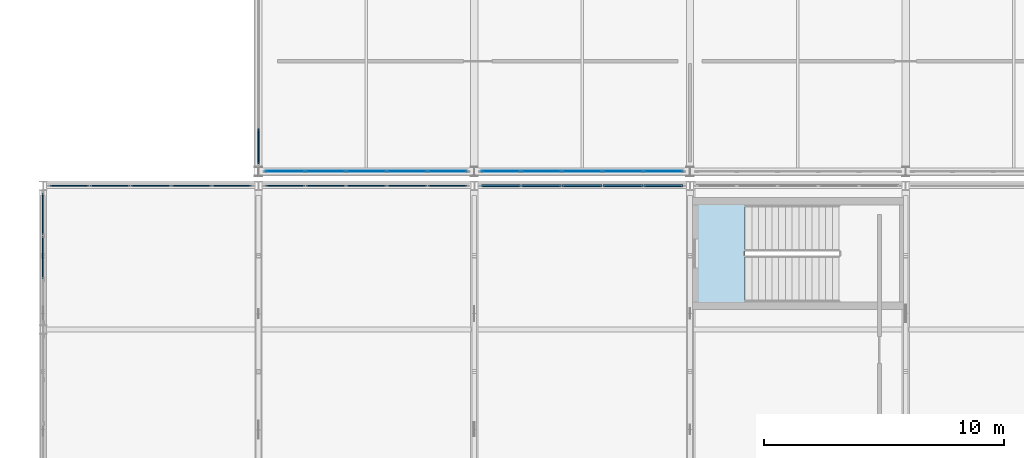
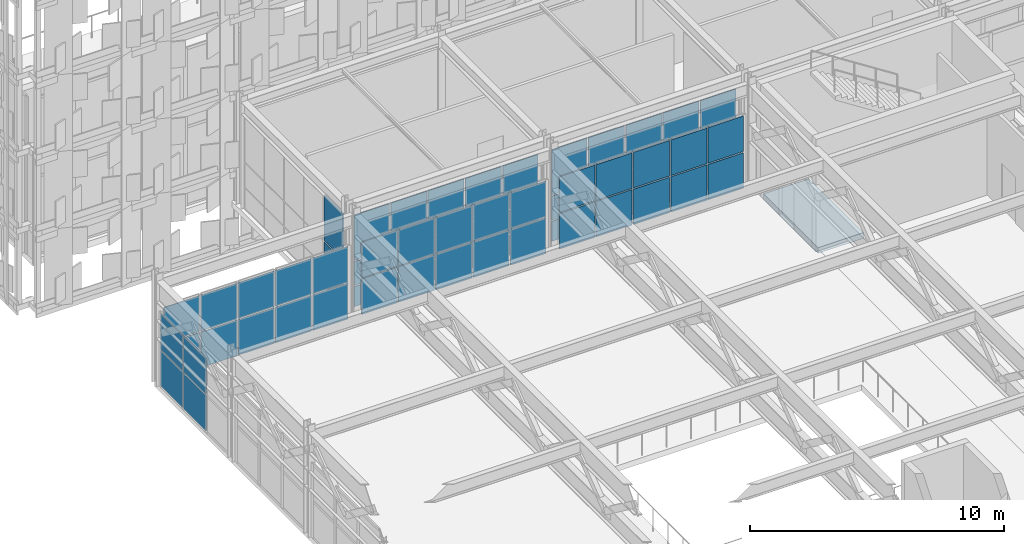
# One storey, part 132 of 210: 67 plates, 1 slab, 7 elements without a shape of their own.
"""IFC4 building model written with IfcOpenShell, lengths in metres."""

from ifc_helpers import new_model, si_unit, direction, frame, origin, origin_2d, place, context, subcontext, project, spatial, polyline, rectangle, outline, extrude, material, layer, layer_set, type_object, element, aggregate, save


model = new_model("IFC4")

# Units and contexts
model_context = context("Model", 3, precision=1e-05, world=origin(), true_north=direction((0.0, 1.0)))
body_context = subcontext(model_context, "Body", "Model", "MODEL_VIEW")
ifc_project = project(units=[si_unit("LENGTHUNIT", "METRE"), si_unit("AREAUNIT", "SQUARE_METRE"), si_unit("VOLUMEUNIT", "CUBIC_METRE"), si_unit("PLANEANGLEUNIT", "RADIAN"), si_unit("MASSUNIT", "GRAM", prefix="KILO")], contexts=[model_context])

# Site, building, storey
site_placement = place(None, origin())
site = spatial("IfcSite", under=ifc_project, at=site_placement, CompositionType="ELEMENT")
building_placement = place(site_placement, origin())
building = spatial("IfcBuilding", under=site, at=building_placement, Name="Kaldris Quays Convention Centre", CompositionType="ELEMENT")
storey_placement = place(building_placement, frame((0.0, 0.0, 6.0)))
storey = spatial("IfcBuildingStorey", under=building, at=storey_placement, Name="L01", CompositionType="ELEMENT", Elevation=6.0)

# Curtain wall, plates
ifc_material_1 = material(Name="Anodized aluminium AW-6060 and triple glazing", Category="aluminium")
curtain_wall_type_1 = type_object("IfcCurtainWallType", Name="UNITISED CURTAIN WALL CW02", PredefinedType="NOTDEFINED", material=ifc_material_1)
curtain_wall_1_placement = place(storey_placement, origin())
curtain_wall_1 = element("IfcCurtainWall", 1, at=curtain_wall_1_placement, inside=storey, type_object=curtain_wall_type_1, Name="L01 Unitised Curtain Wall CW02 90", PredefinedType="NOTDEFINED")
ifc_material_2 = material(Name="Triple low-E insulated glazing", Category="glass")
plate_type_1 = type_object("IfcPlateType", Name="CURTAIN GLAZING PANEL CWP2", PredefinedType="CURTAIN_PANEL", material=ifc_material_2)
plate_1_placement = place(storey_placement, frame((30.114990234375, 46.60009765625, 0.06005859375), z_axis=(0.0, 0.0, 1.0), x_axis=(1.0, 0.0, 0.0)))
plate_1 = element("IfcPlate", 2, at=plate_1_placement, type_object=plate_type_1, Name="CW02 panel 1.1", PredefinedType="CURTAIN_PANEL", context=body_context, shape_type="SweptSolid", body=[
    extrude(rectangle(XDim=1.610107421875, YDim=0.033935546875, at=origin_2d()), origin(), (0.0, 0.0, 1.0), 0.9599609375),
])
plate_2_placement = place(storey_placement, frame((30.114990234375, 46.60009765625, 1.080078125), z_axis=(0.0, 0.0, 1.0), x_axis=(1.0, 0.0, 0.0)))
plate_2 = element("IfcPlate", 3, at=plate_2_placement, type_object=plate_type_1, Name="CW02 panel 1.2", PredefinedType="CURTAIN_PANEL", context=body_context, shape_type="SweptSolid", body=[
    extrude(rectangle(XDim=1.610107421875, YDim=0.033935546875, at=origin_2d()), origin(), (0.0, 0.0, 1.0), 1.154052734375),
])
plate_3_placement = place(storey_placement, frame((30.114990234375, 46.60009765625, 2.2939453125), z_axis=(0.0, 0.0, 1.0), x_axis=(1.0, 0.0, 0.0)))
plate_3 = element("IfcPlate", 4, at=plate_3_placement, type_object=plate_type_1, Name="CW02 panel 1.3", PredefinedType="CURTAIN_PANEL", context=body_context, shape_type="SweptSolid", body=[
    extrude(rectangle(XDim=1.610107421875, YDim=0.033935546875, at=origin_2d()), origin(), (0.0, 0.0, 1.0), 2.174072265625),
])
plate_4_placement = place(storey_placement, frame((31.800048828125, 46.60009765625, 0.06005859375), z_axis=(0.0, 0.0, 1.0), x_axis=(1.0, 0.0, 0.0)))
plate_4 = element("IfcPlate", 5, at=plate_4_placement, type_object=plate_type_1, Name="CW02 panel 2.1", PredefinedType="CURTAIN_PANEL", context=body_context, shape_type="SweptSolid", body=[
    extrude(rectangle(XDim=1.639892578125, YDim=0.033935546875, at=origin_2d()), origin(), (0.0, 0.0, 1.0), 0.9599609375),
])
plate_5_placement = place(storey_placement, frame((31.800048828125, 46.60009765625, 1.080078125), z_axis=(0.0, 0.0, 1.0), x_axis=(1.0, 0.0, 0.0)))
plate_5 = element("IfcPlate", 6, at=plate_5_placement, type_object=plate_type_1, Name="CW02 panel 2.2", PredefinedType="CURTAIN_PANEL", context=body_context, shape_type="SweptSolid", body=[
    extrude(rectangle(XDim=1.639892578125, YDim=0.033935546875, at=origin_2d()), origin(), (0.0, 0.0, 1.0), 1.154052734375),
])
plate_6_placement = place(storey_placement, frame((31.800048828125, 46.60009765625, 2.2939453125), z_axis=(0.0, 0.0, 1.0), x_axis=(1.0, 0.0, 0.0)))
plate_6 = element("IfcPlate", 7, at=plate_6_placement, type_object=plate_type_1, Name="CW02 panel 2.3", PredefinedType="CURTAIN_PANEL", context=body_context, shape_type="SweptSolid", body=[
    extrude(rectangle(XDim=1.639892578125, YDim=0.033935546875, at=origin_2d()), origin(), (0.0, 0.0, 1.0), 2.174072265625),
])
plate_7_placement = place(storey_placement, frame((33.5, 46.60009765625, 0.06005859375), z_axis=(0.0, 0.0, 1.0), x_axis=(1.0, 0.0, 0.0)))
plate_7 = element("IfcPlate", 8, at=plate_7_placement, type_object=plate_type_1, Name="CW02 panel 3.1", PredefinedType="CURTAIN_PANEL", context=body_context, shape_type="SweptSolid", body=[
    extrude(rectangle(XDim=1.639892578125, YDim=0.033935546875, at=origin_2d()), origin(), (0.0, 0.0, 1.0), 0.9599609375),
])
plate_8_placement = place(storey_placement, frame((33.5, 46.60009765625, 1.080078125), z_axis=(0.0, 0.0, 1.0), x_axis=(1.0, 0.0, 0.0)))
plate_8 = element("IfcPlate", 9, at=plate_8_placement, type_object=plate_type_1, Name="CW02 panel 3.2", PredefinedType="CURTAIN_PANEL", context=body_context, shape_type="SweptSolid", body=[
    extrude(rectangle(XDim=1.639892578125, YDim=0.033935546875, at=origin_2d()), origin(), (0.0, 0.0, 1.0), 1.154052734375),
])
plate_9_placement = place(storey_placement, frame((33.5, 46.60009765625, 2.2939453125), z_axis=(0.0, 0.0, 1.0), x_axis=(1.0, 0.0, 0.0)))
plate_9 = element("IfcPlate", 10, at=plate_9_placement, type_object=plate_type_1, Name="CW02 panel 3.3", PredefinedType="CURTAIN_PANEL", context=body_context, shape_type="SweptSolid", body=[
    extrude(rectangle(XDim=1.639892578125, YDim=0.033935546875, at=origin_2d()), origin(), (0.0, 0.0, 1.0), 2.174072265625),
])
plate_10_placement = place(storey_placement, frame((35.199951171875, 46.60009765625, 0.06005859375), z_axis=(0.0, 0.0, 1.0), x_axis=(1.0, 0.0, 0.0)))
plate_10 = element("IfcPlate", 11, at=plate_10_placement, type_object=plate_type_1, Name="CW02 panel 4.1", PredefinedType="CURTAIN_PANEL", context=body_context, shape_type="SweptSolid", body=[
    extrude(rectangle(XDim=1.639892578125, YDim=0.033935546875, at=origin_2d()), origin(), (0.0, 0.0, 1.0), 0.9599609375),
])
plate_11_placement = place(storey_placement, frame((35.199951171875, 46.60009765625, 1.080078125), z_axis=(0.0, 0.0, 1.0), x_axis=(1.0, 0.0, 0.0)))
plate_11 = element("IfcPlate", 12, at=plate_11_placement, type_object=plate_type_1, Name="CW02 panel 4.2", PredefinedType="CURTAIN_PANEL", context=body_context, shape_type="SweptSolid", body=[
    extrude(rectangle(XDim=1.639892578125, YDim=0.033935546875, at=origin_2d()), origin(), (0.0, 0.0, 1.0), 1.154052734375),
])
plate_12_placement = place(storey_placement, frame((35.199951171875, 46.60009765625, 2.2939453125), z_axis=(0.0, 0.0, 1.0), x_axis=(1.0, 0.0, 0.0)))
plate_12 = element("IfcPlate", 13, at=plate_12_placement, type_object=plate_type_1, Name="CW02 panel 4.3", PredefinedType="CURTAIN_PANEL", context=body_context, shape_type="SweptSolid", body=[
    extrude(rectangle(XDim=1.639892578125, YDim=0.033935546875, at=origin_2d()), origin(), (0.0, 0.0, 1.0), 2.174072265625),
])
plate_13_placement = place(storey_placement, frame((36.885009765625, 46.60009765625, 0.06005859375), z_axis=(0.0, 0.0, 1.0), x_axis=(1.0, 0.0, 0.0)))
plate_13 = element("IfcPlate", 14, at=plate_13_placement, type_object=plate_type_1, Name="CW02 panel 5.1", PredefinedType="CURTAIN_PANEL", context=body_context, shape_type="SweptSolid", body=[
    extrude(rectangle(XDim=1.610107421875, YDim=0.033935546875, at=origin_2d()), origin(), (0.0, 0.0, 1.0), 0.9599609375),
])
plate_14_placement = place(storey_placement, frame((36.885009765625, 46.60009765625, 1.080078125), z_axis=(0.0, 0.0, 1.0), x_axis=(1.0, 0.0, 0.0)))
plate_14 = element("IfcPlate", 15, at=plate_14_placement, type_object=plate_type_1, Name="CW02 panel 5.2", PredefinedType="CURTAIN_PANEL", context=body_context, shape_type="SweptSolid", body=[
    extrude(rectangle(XDim=1.610107421875, YDim=0.033935546875, at=origin_2d()), origin(), (0.0, 0.0, 1.0), 1.154052734375),
])
plate_15_placement = place(storey_placement, frame((36.885009765625, 46.60009765625, 2.2939453125), z_axis=(0.0, 0.0, 1.0), x_axis=(1.0, 0.0, 0.0)))
plate_15 = element("IfcPlate", 16, at=plate_15_placement, type_object=plate_type_1, Name="CW02 panel 5.3", PredefinedType="CURTAIN_PANEL", context=body_context, shape_type="SweptSolid", body=[
    extrude(rectangle(XDim=1.610107421875, YDim=0.033935546875, at=origin_2d()), origin(), (0.0, 0.0, 1.0), 2.174072265625),
])
aggregate(curtain_wall_1, [plate_1, plate_2, plate_3, plate_4, plate_5, plate_6, plate_7, plate_8, plate_9, plate_10, plate_11, plate_12, plate_13, plate_14, plate_15])

curtain_wall_2_placement = place(storey_placement, origin())
curtain_wall_2 = element("IfcCurtainWall", 17, at=curtain_wall_2_placement, inside=storey, type_object=curtain_wall_type_1, Name="L01 Unitised Curtain Wall CW02 91", PredefinedType="NOTDEFINED")
plate_type_2 = type_object("IfcPlateType", Name="CURTAIN GLAZING PANEL CWP3", PredefinedType="CURTAIN_PANEL", material=ifc_material_2)
plate_16_placement = place(storey_placement, frame((39.114990234375, 46.60009765625, 0.06005859375), z_axis=(0.0, 0.0, 1.0), x_axis=(1.0, 0.0, 0.0)))
plate_16 = element("IfcPlate", 18, at=plate_16_placement, type_object=plate_type_2, Name="CW02 panel 1.1", PredefinedType="CURTAIN_PANEL", context=body_context, shape_type="SweptSolid", body=[
    extrude(rectangle(XDim=1.610107421875, YDim=0.0390625, at=origin_2d()), origin(), (0.0, 0.0, 1.0), 0.9599609375),
])
plate_17_placement = place(storey_placement, frame((39.114990234375, 46.60009765625, 1.080078125), z_axis=(0.0, 0.0, 1.0), x_axis=(1.0, 0.0, 0.0)))
plate_17 = element("IfcPlate", 19, at=plate_17_placement, type_object=plate_type_2, Name="CW02 panel 1.2", PredefinedType="CURTAIN_PANEL", context=body_context, shape_type="SweptSolid", body=[
    extrude(rectangle(XDim=1.610107421875, YDim=0.0390625, at=origin_2d()), origin(), (0.0, 0.0, 1.0), 1.154052734375),
])
plate_18_placement = place(storey_placement, frame((39.114990234375, 46.60009765625, 2.2939453125), z_axis=(0.0, 0.0, 1.0), x_axis=(1.0, 0.0, 0.0)))
plate_18 = element("IfcPlate", 20, at=plate_18_placement, type_object=plate_type_2, Name="CW02 panel 1.3", PredefinedType="CURTAIN_PANEL", context=body_context, shape_type="SweptSolid", body=[
    extrude(rectangle(XDim=1.610107421875, YDim=0.0390625, at=origin_2d()), origin(), (0.0, 0.0, 1.0), 2.174072265625),
])
plate_19_placement = place(storey_placement, frame((40.800048828125, 46.60009765625, 0.06005859375), z_axis=(0.0, 0.0, 1.0), x_axis=(1.0, 0.0, 0.0)))
plate_19 = element("IfcPlate", 21, at=plate_19_placement, type_object=plate_type_2, Name="CW02 panel 2.1", PredefinedType="CURTAIN_PANEL", context=body_context, shape_type="SweptSolid", body=[
    extrude(rectangle(XDim=1.639892578125, YDim=0.0390625, at=origin_2d()), origin(), (0.0, 0.0, 1.0), 0.9599609375),
])
plate_20_placement = place(storey_placement, frame((40.800048828125, 46.60009765625, 1.080078125), z_axis=(0.0, 0.0, 1.0), x_axis=(1.0, 0.0, 0.0)))
plate_20 = element("IfcPlate", 22, at=plate_20_placement, type_object=plate_type_2, Name="CW02 panel 2.2", PredefinedType="CURTAIN_PANEL", context=body_context, shape_type="SweptSolid", body=[
    extrude(rectangle(XDim=1.639892578125, YDim=0.0390625, at=origin_2d()), origin(), (0.0, 0.0, 1.0), 1.154052734375),
])
plate_21_placement = place(storey_placement, frame((40.800048828125, 46.60009765625, 2.2939453125), z_axis=(0.0, 0.0, 1.0), x_axis=(1.0, 0.0, 0.0)))
plate_21 = element("IfcPlate", 23, at=plate_21_placement, type_object=plate_type_2, Name="CW02 panel 2.3", PredefinedType="CURTAIN_PANEL", context=body_context, shape_type="SweptSolid", body=[
    extrude(rectangle(XDim=1.639892578125, YDim=0.0390625, at=origin_2d()), origin(), (0.0, 0.0, 1.0), 2.174072265625),
])
plate_22_placement = place(storey_placement, frame((42.5, 46.60009765625, 0.06005859375), z_axis=(0.0, 0.0, 1.0), x_axis=(1.0, 0.0, 0.0)))
plate_22 = element("IfcPlate", 24, at=plate_22_placement, type_object=plate_type_2, Name="CW02 panel 3.1", PredefinedType="CURTAIN_PANEL", context=body_context, shape_type="SweptSolid", body=[
    extrude(rectangle(XDim=1.639892578125, YDim=0.0390625, at=origin_2d()), origin(), (0.0, 0.0, 1.0), 0.9599609375),
])
plate_23_placement = place(storey_placement, frame((42.5, 46.60009765625, 1.080078125), z_axis=(0.0, 0.0, 1.0), x_axis=(1.0, 0.0, 0.0)))
plate_23 = element("IfcPlate", 25, at=plate_23_placement, type_object=plate_type_2, Name="CW02 panel 3.2", PredefinedType="CURTAIN_PANEL", context=body_context, shape_type="SweptSolid", body=[
    extrude(rectangle(XDim=1.639892578125, YDim=0.0390625, at=origin_2d()), origin(), (0.0, 0.0, 1.0), 1.154052734375),
])
plate_24_placement = place(storey_placement, frame((42.5, 46.60009765625, 2.2939453125), z_axis=(0.0, 0.0, 1.0), x_axis=(1.0, 0.0, 0.0)))
plate_24 = element("IfcPlate", 26, at=plate_24_placement, type_object=plate_type_2, Name="CW02 panel 3.3", PredefinedType="CURTAIN_PANEL", context=body_context, shape_type="SweptSolid", body=[
    extrude(rectangle(XDim=1.639892578125, YDim=0.0390625, at=origin_2d()), origin(), (0.0, 0.0, 1.0), 2.174072265625),
])
plate_25_placement = place(storey_placement, frame((44.199951171875, 46.60009765625, 0.06005859375), z_axis=(0.0, 0.0, 1.0), x_axis=(1.0, 0.0, 0.0)))
plate_25 = element("IfcPlate", 27, at=plate_25_placement, type_object=plate_type_2, Name="CW02 panel 4.1", PredefinedType="CURTAIN_PANEL", context=body_context, shape_type="SweptSolid", body=[
    extrude(rectangle(XDim=1.639892578125, YDim=0.0390625, at=origin_2d()), origin(), (0.0, 0.0, 1.0), 0.9599609375),
])
plate_26_placement = place(storey_placement, frame((44.199951171875, 46.60009765625, 1.080078125), z_axis=(0.0, 0.0, 1.0), x_axis=(1.0, 0.0, 0.0)))
plate_26 = element("IfcPlate", 28, at=plate_26_placement, type_object=plate_type_2, Name="CW02 panel 4.2", PredefinedType="CURTAIN_PANEL", context=body_context, shape_type="SweptSolid", body=[
    extrude(rectangle(XDim=1.639892578125, YDim=0.0390625, at=origin_2d()), origin(), (0.0, 0.0, 1.0), 1.154052734375),
])
plate_27_placement = place(storey_placement, frame((44.199951171875, 46.60009765625, 2.2939453125), z_axis=(0.0, 0.0, 1.0), x_axis=(1.0, 0.0, 0.0)))
plate_27 = element("IfcPlate", 29, at=plate_27_placement, type_object=plate_type_2, Name="CW02 panel 4.3", PredefinedType="CURTAIN_PANEL", context=body_context, shape_type="SweptSolid", body=[
    extrude(rectangle(XDim=1.639892578125, YDim=0.0390625, at=origin_2d()), origin(), (0.0, 0.0, 1.0), 2.174072265625),
])
plate_28_placement = place(storey_placement, frame((45.885009765625, 46.60009765625, 0.06005859375), z_axis=(0.0, 0.0, 1.0), x_axis=(1.0, 0.0, 0.0)))
plate_28 = element("IfcPlate", 30, at=plate_28_placement, type_object=plate_type_2, Name="CW02 panel 5.1", PredefinedType="CURTAIN_PANEL", context=body_context, shape_type="SweptSolid", body=[
    extrude(rectangle(XDim=1.610107421875, YDim=0.0390625, at=origin_2d()), origin(), (0.0, 0.0, 1.0), 0.9599609375),
])
plate_29_placement = place(storey_placement, frame((45.885009765625, 46.60009765625, 1.080078125), z_axis=(0.0, 0.0, 1.0), x_axis=(1.0, 0.0, 0.0)))
plate_29 = element("IfcPlate", 31, at=plate_29_placement, type_object=plate_type_2, Name="CW02 panel 5.2", PredefinedType="CURTAIN_PANEL", context=body_context, shape_type="SweptSolid", body=[
    extrude(rectangle(XDim=1.610107421875, YDim=0.0390625, at=origin_2d()), origin(), (0.0, 0.0, 1.0), 1.154052734375),
])
plate_30_placement = place(storey_placement, frame((45.885009765625, 46.60009765625, 2.2939453125), z_axis=(0.0, 0.0, 1.0), x_axis=(1.0, 0.0, 0.0)))
plate_30 = element("IfcPlate", 32, at=plate_30_placement, type_object=plate_type_2, Name="CW02 panel 5.3", PredefinedType="CURTAIN_PANEL", context=body_context, shape_type="SweptSolid", body=[
    extrude(rectangle(XDim=1.610107421875, YDim=0.0390625, at=origin_2d()), origin(), (0.0, 0.0, 1.0), 2.174072265625),
])
aggregate(curtain_wall_2, [plate_16, plate_17, plate_18, plate_19, plate_20, plate_21, plate_22, plate_23, plate_24, plate_25, plate_26, plate_27, plate_28, plate_29, plate_30])

curtain_wall_type_2 = type_object("IfcCurtainWallType", Name="UNITISED CURTAIN WALL CW05", PredefinedType="NOTDEFINED", material=ifc_material_1)
curtain_wall_3_placement = place(storey_placement, origin())
curtain_wall_3 = element("IfcCurtainWall", 33, at=curtain_wall_3_placement, inside=storey, type_object=curtain_wall_type_2, Name="L01 Unitised Curtain Wall CW05 60", PredefinedType="NOTDEFINED")
plate_type_3 = type_object("IfcPlateType", Name="CURTAIN GLAZING PANEL CWP4", PredefinedType="CURTAIN_PANEL", material=ifc_material_2)
plate_31_placement = place(storey_placement, frame((21.114990234375, 46.0, 0.06005859375), z_axis=(0.0, 0.0, 1.0), x_axis=(1.0, 0.0, 0.0)))
plate_31 = element("IfcPlate", 34, at=plate_31_placement, type_object=plate_type_3, Name="CW05 panel 1.1", PredefinedType="CURTAIN_PANEL", context=body_context, shape_type="SweptSolid", body=[
    extrude(rectangle(XDim=1.610107421875, YDim=0.0439453125, at=origin_2d()), origin(), (0.0, 0.0, 1.0), 1.7099609375),
])
plate_32_placement = place(storey_placement, frame((21.114990234375, 46.0, 1.830078125), z_axis=(0.0, 0.0, 1.0), x_axis=(1.0, 0.0, 0.0)))
plate_32 = element("IfcPlate", 35, at=plate_32_placement, type_object=plate_type_3, Name="CW05 panel 1.2", PredefinedType="CURTAIN_PANEL", context=body_context, shape_type="SweptSolid", body=[
    extrude(rectangle(XDim=1.610107421875, YDim=0.0439453125, at=origin_2d()), origin(), (0.0, 0.0, 1.0), 1.7099609375),
])
plate_33_placement = place(storey_placement, frame((22.800048828125, 46.0, 0.06005859375), z_axis=(0.0, 0.0, 1.0), x_axis=(1.0, 0.0, 0.0)))
plate_33 = element("IfcPlate", 36, at=plate_33_placement, type_object=plate_type_3, Name="CW05 panel 2.1", PredefinedType="CURTAIN_PANEL", context=body_context, shape_type="SweptSolid", body=[
    extrude(rectangle(XDim=1.639892578125, YDim=0.0439453125, at=origin_2d()), origin(), (0.0, 0.0, 1.0), 1.7099609375),
])
plate_34_placement = place(storey_placement, frame((22.800048828125, 46.0, 1.830078125), z_axis=(0.0, 0.0, 1.0), x_axis=(1.0, 0.0, 0.0)))
plate_34 = element("IfcPlate", 37, at=plate_34_placement, type_object=plate_type_3, Name="CW05 panel 2.2", PredefinedType="CURTAIN_PANEL", context=body_context, shape_type="SweptSolid", body=[
    extrude(rectangle(XDim=1.639892578125, YDim=0.0439453125, at=origin_2d()), origin(), (0.0, 0.0, 1.0), 1.7099609375),
])
plate_35_placement = place(storey_placement, frame((24.5, 46.0, 0.06005859375), z_axis=(0.0, 0.0, 1.0), x_axis=(1.0, 0.0, 0.0)))
plate_35 = element("IfcPlate", 38, at=plate_35_placement, type_object=plate_type_3, Name="CW05 panel 3.1", PredefinedType="CURTAIN_PANEL", context=body_context, shape_type="SweptSolid", body=[
    extrude(rectangle(XDim=1.639892578125, YDim=0.0439453125, at=origin_2d()), origin(), (0.0, 0.0, 1.0), 1.7099609375),
])
plate_36_placement = place(storey_placement, frame((24.5, 46.0, 1.830078125), z_axis=(0.0, 0.0, 1.0), x_axis=(1.0, 0.0, 0.0)))
plate_36 = element("IfcPlate", 39, at=plate_36_placement, type_object=plate_type_3, Name="CW05 panel 3.2", PredefinedType="CURTAIN_PANEL", context=body_context, shape_type="SweptSolid", body=[
    extrude(rectangle(XDim=1.639892578125, YDim=0.0439453125, at=origin_2d()), origin(), (0.0, 0.0, 1.0), 1.7099609375),
])
plate_37_placement = place(storey_placement, frame((26.199951171875, 46.0, 0.06005859375), z_axis=(0.0, 0.0, 1.0), x_axis=(1.0, 0.0, 0.0)))
plate_37 = element("IfcPlate", 40, at=plate_37_placement, type_object=plate_type_3, Name="CW05 panel 4.1", PredefinedType="CURTAIN_PANEL", context=body_context, shape_type="SweptSolid", body=[
    extrude(rectangle(XDim=1.639892578125, YDim=0.0439453125, at=origin_2d()), origin(), (0.0, 0.0, 1.0), 1.7099609375),
])
plate_38_placement = place(storey_placement, frame((26.199951171875, 46.0, 1.830078125), z_axis=(0.0, 0.0, 1.0), x_axis=(1.0, 0.0, 0.0)))
plate_38 = element("IfcPlate", 41, at=plate_38_placement, type_object=plate_type_3, Name="CW05 panel 4.2", PredefinedType="CURTAIN_PANEL", context=body_context, shape_type="SweptSolid", body=[
    extrude(rectangle(XDim=1.639892578125, YDim=0.0439453125, at=origin_2d()), origin(), (0.0, 0.0, 1.0), 1.7099609375),
])
plate_39_placement = place(storey_placement, frame((27.885009765625, 46.0, 0.06005859375), z_axis=(0.0, 0.0, 1.0), x_axis=(1.0, 0.0, 0.0)))
plate_39 = element("IfcPlate", 42, at=plate_39_placement, type_object=plate_type_3, Name="CW05 panel 5.1", PredefinedType="CURTAIN_PANEL", context=body_context, shape_type="SweptSolid", body=[
    extrude(rectangle(XDim=1.610107421875, YDim=0.0439453125, at=origin_2d()), origin(), (0.0, 0.0, 1.0), 1.7099609375),
])
plate_40_placement = place(storey_placement, frame((27.885009765625, 46.0, 1.830078125), z_axis=(0.0, 0.0, 1.0), x_axis=(1.0, 0.0, 0.0)))
plate_40 = element("IfcPlate", 43, at=plate_40_placement, type_object=plate_type_3, Name="CW05 panel 5.2", PredefinedType="CURTAIN_PANEL", context=body_context, shape_type="SweptSolid", body=[
    extrude(rectangle(XDim=1.610107421875, YDim=0.0439453125, at=origin_2d()), origin(), (0.0, 0.0, 1.0), 1.7099609375),
])
aggregate(curtain_wall_3, [plate_31, plate_32, plate_33, plate_34, plate_35, plate_36, plate_37, plate_38, plate_39, plate_40])

curtain_wall_4_placement = place(storey_placement, origin())
curtain_wall_4 = element("IfcCurtainWall", 44, at=curtain_wall_4_placement, inside=storey, type_object=curtain_wall_type_2, Name="L01 Unitised Curtain Wall CW05 77", PredefinedType="NOTDEFINED")
plate_type_4 = type_object("IfcPlateType", Name="CURTAIN GLAZING PANEL CWP5", PredefinedType="CURTAIN_PANEL", material=ifc_material_2)
plate_41_placement = place(storey_placement, frame((20.0, 43.0, 0.06005859375), z_axis=(0.0, 0.0, 1.0), x_axis=(0.0, 1.0, 0.0)))
plate_41 = element("IfcPlate", 45, at=plate_41_placement, type_object=plate_type_4, Name="CW05 panel 2.1", PredefinedType="CURTAIN_PANEL", context=body_context, shape_type="SweptSolid", body=[
    extrude(rectangle(XDim=1.7734375, YDim=0.049072265625, at=origin_2d()), origin(), (0.0, 0.0, 1.0), 1.7099609375),
])
plate_42_placement = place(storey_placement, frame((20.0, 43.0, 1.830078125), z_axis=(0.0, 0.0, 1.0), x_axis=(0.0, 1.0, 0.0)))
plate_42 = element("IfcPlate", 46, at=plate_42_placement, type_object=plate_type_4, Name="CW05 panel 2.2", PredefinedType="CURTAIN_PANEL", context=body_context, shape_type="SweptSolid", body=[
    extrude(rectangle(XDim=1.7734375, YDim=0.049072265625, at=origin_2d()), origin(), (0.0, 0.0, 1.0), 1.7099609375),
])
plate_43_placement = place(storey_placement, frame((20.0, 44.818359375, 0.06005859375), z_axis=(0.0, 0.0, 1.0), x_axis=(0.0, 1.0, 0.0)))
plate_43 = element("IfcPlate", 47, at=plate_43_placement, type_object=plate_type_4, Name="CW05 panel 3.1", PredefinedType="CURTAIN_PANEL", context=body_context, shape_type="SweptSolid", body=[
    extrude(rectangle(XDim=1.743408203125, YDim=0.049072265625, at=origin_2d()), origin(), (0.0, 0.0, 1.0), 1.7099609375),
])
plate_44_placement = place(storey_placement, frame((20.0, 44.818359375, 1.830078125), z_axis=(0.0, 0.0, 1.0), x_axis=(0.0, 1.0, 0.0)))
plate_44 = element("IfcPlate", 48, at=plate_44_placement, type_object=plate_type_4, Name="CW05 panel 3.2", PredefinedType="CURTAIN_PANEL", context=body_context, shape_type="SweptSolid", body=[
    extrude(rectangle(XDim=1.743408203125, YDim=0.049072265625, at=origin_2d()), origin(), (0.0, 0.0, 1.0), 1.7099609375),
])
aggregate(curtain_wall_4, [plate_41, plate_42, plate_43, plate_44])

curtain_wall_5_placement = place(storey_placement, origin())
curtain_wall_5 = element("IfcCurtainWall", 49, at=curtain_wall_5_placement, inside=storey, type_object=curtain_wall_type_2, Name="L01 Unitised Curtain Wall CW05 62", PredefinedType="NOTDEFINED")
plate_type_5 = type_object("IfcPlateType", Name="CURTAIN GLAZING PANEL CWP6", PredefinedType="CURTAIN_PANEL", material=ifc_material_2)
plate_45_placement = place(storey_placement, frame((30.114990234375, 46.0, 0.06005859375), z_axis=(0.0, 0.0, 1.0), x_axis=(1.0, 0.0, 0.0)))
plate_45 = element("IfcPlate", 50, at=plate_45_placement, type_object=plate_type_5, Name="CW05 panel 1.1", PredefinedType="CURTAIN_PANEL", context=body_context, shape_type="SweptSolid", body=[
    extrude(rectangle(XDim=1.610107421875, YDim=0.053955078125, at=origin_2d()), origin(), (0.0, 0.0, 1.0), 1.7099609375),
])
plate_46_placement = place(storey_placement, frame((30.114990234375, 46.0, 1.830078125), z_axis=(0.0, 0.0, 1.0), x_axis=(1.0, 0.0, 0.0)))
plate_46 = element("IfcPlate", 51, at=plate_46_placement, type_object=plate_type_5, Name="CW05 panel 1.2", PredefinedType="CURTAIN_PANEL", context=body_context, shape_type="SweptSolid", body=[
    extrude(rectangle(XDim=1.610107421875, YDim=0.053955078125, at=origin_2d()), origin(), (0.0, 0.0, 1.0), 1.7099609375),
])
plate_47_placement = place(storey_placement, frame((31.800048828125, 46.0, 0.06005859375), z_axis=(0.0, 0.0, 1.0), x_axis=(1.0, 0.0, 0.0)))
plate_47 = element("IfcPlate", 52, at=plate_47_placement, type_object=plate_type_5, Name="CW05 panel 2.1", PredefinedType="CURTAIN_PANEL", context=body_context, shape_type="SweptSolid", body=[
    extrude(rectangle(XDim=1.639892578125, YDim=0.053955078125, at=origin_2d()), origin(), (0.0, 0.0, 1.0), 1.7099609375),
])
plate_48_placement = place(storey_placement, frame((31.800048828125, 46.0, 1.830078125), z_axis=(0.0, 0.0, 1.0), x_axis=(1.0, 0.0, 0.0)))
plate_48 = element("IfcPlate", 53, at=plate_48_placement, type_object=plate_type_5, Name="CW05 panel 2.2", PredefinedType="CURTAIN_PANEL", context=body_context, shape_type="SweptSolid", body=[
    extrude(rectangle(XDim=1.639892578125, YDim=0.053955078125, at=origin_2d()), origin(), (0.0, 0.0, 1.0), 1.7099609375),
])
plate_49_placement = place(storey_placement, frame((33.5, 46.0, 0.06005859375), z_axis=(0.0, 0.0, 1.0), x_axis=(1.0, 0.0, 0.0)))
plate_49 = element("IfcPlate", 54, at=plate_49_placement, type_object=plate_type_5, Name="CW05 panel 3.1", PredefinedType="CURTAIN_PANEL", context=body_context, shape_type="SweptSolid", body=[
    extrude(rectangle(XDim=1.639892578125, YDim=0.053955078125, at=origin_2d()), origin(), (0.0, 0.0, 1.0), 1.7099609375),
])
plate_50_placement = place(storey_placement, frame((33.5, 46.0, 1.830078125), z_axis=(0.0, 0.0, 1.0), x_axis=(1.0, 0.0, 0.0)))
plate_50 = element("IfcPlate", 55, at=plate_50_placement, type_object=plate_type_5, Name="CW05 panel 3.2", PredefinedType="CURTAIN_PANEL", context=body_context, shape_type="SweptSolid", body=[
    extrude(rectangle(XDim=1.639892578125, YDim=0.053955078125, at=origin_2d()), origin(), (0.0, 0.0, 1.0), 1.7099609375),
])
plate_51_placement = place(storey_placement, frame((35.199951171875, 46.0, 0.06005859375), z_axis=(0.0, 0.0, 1.0), x_axis=(1.0, 0.0, 0.0)))
plate_51 = element("IfcPlate", 56, at=plate_51_placement, type_object=plate_type_5, Name="CW05 panel 4.1", PredefinedType="CURTAIN_PANEL", context=body_context, shape_type="SweptSolid", body=[
    extrude(rectangle(XDim=1.639892578125, YDim=0.053955078125, at=origin_2d()), origin(), (0.0, 0.0, 1.0), 1.7099609375),
])
plate_52_placement = place(storey_placement, frame((35.199951171875, 46.0, 1.830078125), z_axis=(0.0, 0.0, 1.0), x_axis=(1.0, 0.0, 0.0)))
plate_52 = element("IfcPlate", 57, at=plate_52_placement, type_object=plate_type_5, Name="CW05 panel 4.2", PredefinedType="CURTAIN_PANEL", context=body_context, shape_type="SweptSolid", body=[
    extrude(rectangle(XDim=1.639892578125, YDim=0.053955078125, at=origin_2d()), origin(), (0.0, 0.0, 1.0), 1.7099609375),
])
plate_53_placement = place(storey_placement, frame((36.885009765625, 46.0, 0.06005859375), z_axis=(0.0, 0.0, 1.0), x_axis=(1.0, 0.0, 0.0)))
plate_53 = element("IfcPlate", 58, at=plate_53_placement, type_object=plate_type_5, Name="CW05 panel 5.1", PredefinedType="CURTAIN_PANEL", context=body_context, shape_type="SweptSolid", body=[
    extrude(rectangle(XDim=1.610107421875, YDim=0.053955078125, at=origin_2d()), origin(), (0.0, 0.0, 1.0), 1.7099609375),
])
plate_54_placement = place(storey_placement, frame((36.885009765625, 46.0, 1.830078125), z_axis=(0.0, 0.0, 1.0), x_axis=(1.0, 0.0, 0.0)))
plate_54 = element("IfcPlate", 59, at=plate_54_placement, type_object=plate_type_5, Name="CW05 panel 5.2", PredefinedType="CURTAIN_PANEL", context=body_context, shape_type="SweptSolid", body=[
    extrude(rectangle(XDim=1.610107421875, YDim=0.053955078125, at=origin_2d()), origin(), (0.0, 0.0, 1.0), 1.7099609375),
])
aggregate(curtain_wall_5, [plate_45, plate_46, plate_47, plate_48, plate_49, plate_50, plate_51, plate_52, plate_53, plate_54])

curtain_wall_6_placement = place(storey_placement, origin())
curtain_wall_6 = element("IfcCurtainWall", 60, at=curtain_wall_6_placement, inside=storey, type_object=curtain_wall_type_2, Name="L01 Unitised Curtain Wall CW05 64", PredefinedType="NOTDEFINED")
plate_type_6 = type_object("IfcPlateType", Name="CURTAIN GLAZING PANEL CWP8", PredefinedType="CURTAIN_PANEL", material=ifc_material_2)
plate_55_placement = place(storey_placement, frame((39.114990234375, 46.0, 0.06005859375), z_axis=(0.0, 0.0, 1.0), x_axis=(1.0, 0.0, 0.0)))
plate_55 = element("IfcPlate", 61, at=plate_55_placement, type_object=plate_type_6, Name="CW05 panel 1.1", PredefinedType="CURTAIN_PANEL", context=body_context, shape_type="SweptSolid", body=[
    extrude(rectangle(XDim=1.610107421875, YDim=0.06396484375, at=origin_2d()), origin(), (0.0, 0.0, 1.0), 1.7099609375),
])
plate_56_placement = place(storey_placement, frame((39.114990234375, 46.0, 1.830078125), z_axis=(0.0, 0.0, 1.0), x_axis=(1.0, 0.0, 0.0)))
plate_56 = element("IfcPlate", 62, at=plate_56_placement, type_object=plate_type_6, Name="CW05 panel 1.2", PredefinedType="CURTAIN_PANEL", context=body_context, shape_type="SweptSolid", body=[
    extrude(rectangle(XDim=1.610107421875, YDim=0.06396484375, at=origin_2d()), origin(), (0.0, 0.0, 1.0), 1.7099609375),
])
plate_57_placement = place(storey_placement, frame((40.800048828125, 46.0, 0.06005859375), z_axis=(0.0, 0.0, 1.0), x_axis=(1.0, 0.0, 0.0)))
plate_57 = element("IfcPlate", 63, at=plate_57_placement, type_object=plate_type_6, Name="CW05 panel 2.1", PredefinedType="CURTAIN_PANEL", context=body_context, shape_type="SweptSolid", body=[
    extrude(rectangle(XDim=1.639892578125, YDim=0.06396484375, at=origin_2d()), origin(), (0.0, 0.0, 1.0), 1.7099609375),
])
plate_58_placement = place(storey_placement, frame((40.800048828125, 46.0, 1.830078125), z_axis=(0.0, 0.0, 1.0), x_axis=(1.0, 0.0, 0.0)))
plate_58 = element("IfcPlate", 64, at=plate_58_placement, type_object=plate_type_6, Name="CW05 panel 2.2", PredefinedType="CURTAIN_PANEL", context=body_context, shape_type="SweptSolid", body=[
    extrude(rectangle(XDim=1.639892578125, YDim=0.06396484375, at=origin_2d()), origin(), (0.0, 0.0, 1.0), 1.7099609375),
])
plate_59_placement = place(storey_placement, frame((42.5, 46.0, 0.06005859375), z_axis=(0.0, 0.0, 1.0), x_axis=(1.0, 0.0, 0.0)))
plate_59 = element("IfcPlate", 65, at=plate_59_placement, type_object=plate_type_6, Name="CW05 panel 3.1", PredefinedType="CURTAIN_PANEL", context=body_context, shape_type="SweptSolid", body=[
    extrude(rectangle(XDim=1.639892578125, YDim=0.06396484375, at=origin_2d()), origin(), (0.0, 0.0, 1.0), 1.7099609375),
])
plate_60_placement = place(storey_placement, frame((42.5, 46.0, 1.830078125), z_axis=(0.0, 0.0, 1.0), x_axis=(1.0, 0.0, 0.0)))
plate_60 = element("IfcPlate", 66, at=plate_60_placement, type_object=plate_type_6, Name="CW05 panel 3.2", PredefinedType="CURTAIN_PANEL", context=body_context, shape_type="SweptSolid", body=[
    extrude(rectangle(XDim=1.639892578125, YDim=0.06396484375, at=origin_2d()), origin(), (0.0, 0.0, 1.0), 1.7099609375),
])
plate_61_placement = place(storey_placement, frame((44.199951171875, 46.0, 0.06005859375), z_axis=(0.0, 0.0, 1.0), x_axis=(1.0, 0.0, 0.0)))
plate_61 = element("IfcPlate", 67, at=plate_61_placement, type_object=plate_type_6, Name="CW05 panel 4.1", PredefinedType="CURTAIN_PANEL", context=body_context, shape_type="SweptSolid", body=[
    extrude(rectangle(XDim=1.639892578125, YDim=0.06396484375, at=origin_2d()), origin(), (0.0, 0.0, 1.0), 1.7099609375),
])
plate_62_placement = place(storey_placement, frame((44.199951171875, 46.0, 1.830078125), z_axis=(0.0, 0.0, 1.0), x_axis=(1.0, 0.0, 0.0)))
plate_62 = element("IfcPlate", 68, at=plate_62_placement, type_object=plate_type_6, Name="CW05 panel 4.2", PredefinedType="CURTAIN_PANEL", context=body_context, shape_type="SweptSolid", body=[
    extrude(rectangle(XDim=1.639892578125, YDim=0.06396484375, at=origin_2d()), origin(), (0.0, 0.0, 1.0), 1.7099609375),
])
plate_63_placement = place(storey_placement, frame((45.885009765625, 46.0, 0.06005859375), z_axis=(0.0, 0.0, 1.0), x_axis=(1.0, 0.0, 0.0)))
plate_63 = element("IfcPlate", 69, at=plate_63_placement, type_object=plate_type_6, Name="CW05 panel 5.1", PredefinedType="CURTAIN_PANEL", context=body_context, shape_type="SweptSolid", body=[
    extrude(rectangle(XDim=1.610107421875, YDim=0.06396484375, at=origin_2d()), origin(), (0.0, 0.0, 1.0), 1.7099609375),
])
plate_64_placement = place(storey_placement, frame((45.885009765625, 46.0, 1.830078125), z_axis=(0.0, 0.0, 1.0), x_axis=(1.0, 0.0, 0.0)))
plate_64 = element("IfcPlate", 70, at=plate_64_placement, type_object=plate_type_6, Name="CW05 panel 5.2", PredefinedType="CURTAIN_PANEL", context=body_context, shape_type="SweptSolid", body=[
    extrude(rectangle(XDim=1.610107421875, YDim=0.06396484375, at=origin_2d()), origin(), (0.0, 0.0, 1.0), 1.7099609375),
])
aggregate(curtain_wall_6, [plate_55, plate_56, plate_57, plate_58, plate_59, plate_60, plate_61, plate_62, plate_63, plate_64])

curtain_wall_7_placement = place(storey_placement, origin())
curtain_wall_7 = element("IfcCurtainWall", 71, at=curtain_wall_7_placement, inside=storey, type_object=curtain_wall_type_1, Name="L01 Unitised Curtain Wall CW02 96", PredefinedType="NOTDEFINED")
plate_65_placement = place(storey_placement, frame((29.0, 47.64501953125, 0.06005859375), z_axis=(0.0, 0.0, 1.0), x_axis=(0.0, 1.0, 0.0)))
plate_65 = element("IfcPlate", 72, at=plate_65_placement, type_object=plate_type_6, Name="CW02 panel 1.1", PredefinedType="CURTAIN_PANEL", context=body_context, shape_type="SweptSolid", body=[
    extrude(rectangle(XDim=1.469970703125, YDim=0.06396484375, at=origin_2d()), origin(), (0.0, 0.0, 1.0), 0.9599609375),
])
plate_66_placement = place(storey_placement, frame((29.0, 47.64501953125, 1.080078125), z_axis=(0.0, 0.0, 1.0), x_axis=(0.0, 1.0, 0.0)))
plate_66 = element("IfcPlate", 73, at=plate_66_placement, type_object=plate_type_6, Name="CW02 panel 1.2", PredefinedType="CURTAIN_PANEL", context=body_context, shape_type="SweptSolid", body=[
    extrude(rectangle(XDim=1.469970703125, YDim=0.06396484375, at=origin_2d()), origin(), (0.0, 0.0, 1.0), 1.154052734375),
])
plate_67_placement = place(storey_placement, frame((29.0, 47.64501953125, 2.2939453125), z_axis=(0.0, 0.0, 1.0), x_axis=(0.0, 1.0, 0.0)))
plate_67 = element("IfcPlate", 74, at=plate_67_placement, type_object=plate_type_6, Name="CW02 panel 1.3", PredefinedType="CURTAIN_PANEL", context=body_context, shape_type="SweptSolid", body=[
    extrude(rectangle(XDim=1.469970703125, YDim=0.06396484375, at=origin_2d()), origin(), (0.0, 0.0, 1.0), 2.174072265625),
])
aggregate(curtain_wall_7, [plate_65, plate_66, plate_67])

# Slab
ifc_material_3 = material(Name="Concrete C35/45", Category="concrete")
ifc_layer = layer(ifc_material_3, 0.27490234375)
ifc_layer_set = layer_set([ifc_layer], Name="Concrete C35/45")
slab_type = type_object("IfcSlabType", Name="STRUCTURAL SLAB FS05", PredefinedType="FLOOR", material=ifc_layer_set)
slab_placement = place(storey_placement, frame((0.0, 0.0, -0.27490234375)))
element("IfcSlab", 75, at=slab_placement, inside=storey, type_object=slab_type, Name="L01 ST07 Core Floor Landing Slab", PredefinedType="FLOOR", context=body_context, shape_type="SweptSolid", body=[
    extrude(outline(polyline([(47.22998046875, 41.030029296875), (49.300048828125, 41.030029296875), (49.300048828125, 45.320068359375), (47.22998046875, 45.320068359375), (47.22998046875, 41.030029296875)])), origin(), (0.0, 0.0, 1.0), 0.27490234375),
])

save(model, "model.ifc")
